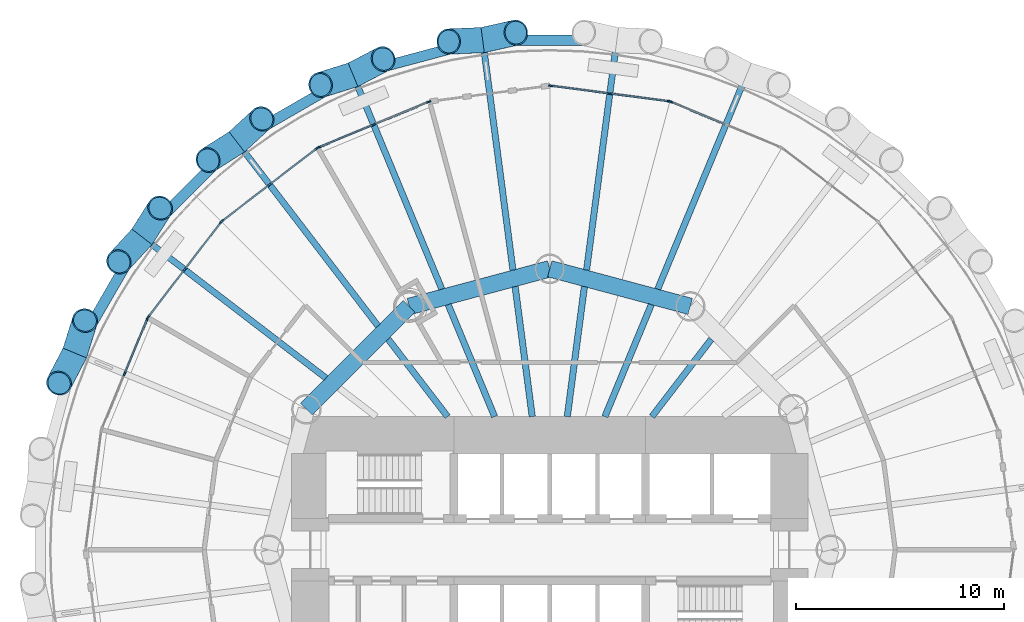
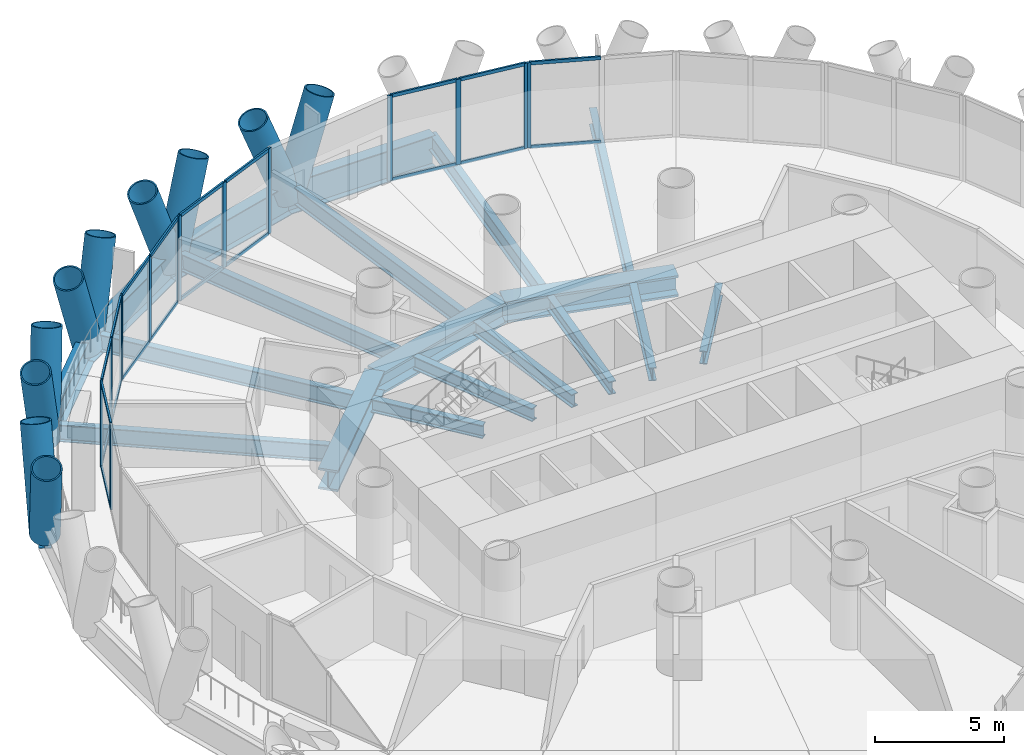
# One storey, part 5 of 15: 45 members, 20 beams, 6 elements without a shape of their own.
"""IFC4 building model written with IfcOpenShell, lengths in metres."""

from ifc_helpers import new_model, si_unit, direction, frame, origin, origin_2d, place, context, subcontext, project, spatial, rectangle, hollow_circle, i_section, extrude, material, material_profile, profile_set, type_object, element, aggregate, save


model = new_model("IFC4")

# Units and contexts
model_context = context("Model", 3, precision=1e-05, world=origin(), true_north=direction((0.0, 1.0)))
body_context = subcontext(model_context, "Body", "Model", "MODEL_VIEW")
ifc_project = project(units=[si_unit("LENGTHUNIT", "METRE"), si_unit("AREAUNIT", "SQUARE_METRE"), si_unit("VOLUMEUNIT", "CUBIC_METRE"), si_unit("PLANEANGLEUNIT", "RADIAN"), si_unit("MASSUNIT", "GRAM", prefix="KILO")], contexts=[model_context])

# Site, building, storey
site_placement = place(None, origin())
site = spatial("IfcSite", under=ifc_project, at=site_placement, CompositionType="ELEMENT")
building_placement = place(site_placement, origin())
building = spatial("IfcBuilding", under=site, at=building_placement, Name="Qaws Media Tower", CompositionType="ELEMENT")
storey_placement = place(building_placement, frame((0.0, 0.0, 51.199951171875)))
storey = spatial("IfcBuildingStorey", under=building, at=storey_placement, Name="L10", CompositionType="ELEMENT", Elevation=51.199951171875)

# Curtain wall, member
ifc_material_1 = material(Name="Aluminium and clear glass", Category="aluminium")
curtain_wall_type = type_object("IfcCurtainWallType", Name="Unitised curtain wall CW-A", PredefinedType="NOTDEFINED", material=ifc_material_1)
curtain_wall_1_placement = place(storey_placement, origin())
curtain_wall_1 = element("IfcCurtainWall", 1, at=curtain_wall_1_placement, inside=storey, type_object=curtain_wall_type, Name="CWA curtain wall L10-05", PredefinedType="NOTDEFINED")
ifc_material_2 = material(Name="Aluminium mullion", Category="aluminium")
ifc_material_profile_1 = material_profile(ifc_material_2, rectangle(XDim=0.080078125, YDim=0.199951171875, at=origin_2d()), Name="80x200")
ifc_profile_set_1 = profile_set([ifc_material_profile_1], Name="Aluminium mullion")
member_type_1 = type_object("IfcMemberType", Name="Curtain wall mullion 80x200", PredefinedType="MULLION", material=ifc_profile_set_1)
member_1_placement = place(storey_placement, frame((65.80859375, 71.52490234375, 0.0), z_axis=(0.0, 0.0, 1.0), x_axis=(-0.382683388377, -0.923879550732, 0.0)))
member_1 = element("IfcMember", 2, at=member_1_placement, type_object=member_type_1, Name="CWA mullion 3", PredefinedType="MULLION", context=body_context, shape_type="SweptSolid", body=[
    extrude(rectangle(XDim=0.080078125, YDim=0.199951171875, at=origin_2d()), origin(), (0.0, 0.0, 1.0), 4.0400390625),
])

# Curtain wall, members
curtain_wall_2_placement = place(storey_placement, origin())
curtain_wall_2 = element("IfcCurtainWall", 3, at=curtain_wall_2_placement, inside=storey, type_object=curtain_wall_type, Name="CWA curtain wall L10-06", PredefinedType="NOTDEFINED")
member_2_placement = place(storey_placement, frame((65.73193359375, 71.54541015625, 0.0), z_axis=(0.0, 0.0, 1.0), x_axis=(-0.13052617322, -0.991444863875, 0.0)))
member_2 = element("IfcMember", 4, at=member_2_placement, type_object=member_type_1, Name="CWA mullion 1", PredefinedType="MULLION", context=body_context, shape_type="SweptSolid", body=[
    extrude(rectangle(XDim=0.080078125, YDim=0.199951171875, at=origin_2d()), origin(), (0.0, 0.0, 1.0), 4.0400390625),
])
member_3_placement = place(storey_placement, frame((62.8857421875, 71.920166015625, 0.0), z_axis=(0.0, 0.0, 1.0), x_axis=(-0.13052617322, -0.991444863875, 0.0)))
member_3 = element("IfcMember", 5, at=member_3_placement, type_object=member_type_1, Name="CWA mullion 2", PredefinedType="MULLION", context=body_context, shape_type="SweptSolid", body=[
    extrude(rectangle(XDim=0.080078125, YDim=0.199951171875, at=origin_2d()), origin(), (0.0, 0.0, 1.0), 4.0400390625),
])
member_4_placement = place(storey_placement, frame((60.03955078125, 72.294677734375, 0.0), z_axis=(0.0, 0.0, 1.0), x_axis=(-0.13052617322, -0.991444863875, 0.0)))
member_4 = element("IfcMember", 6, at=member_4_placement, type_object=member_type_1, Name="CWA mullion 3", PredefinedType="MULLION", context=body_context, shape_type="SweptSolid", body=[
    extrude(rectangle(XDim=0.080078125, YDim=0.199951171875, at=origin_2d()), origin(), (0.0, 0.0, 1.0), 4.0400390625),
])

curtain_wall_3_placement = place(storey_placement, origin())
curtain_wall_3 = element("IfcCurtainWall", 7, at=curtain_wall_3_placement, inside=storey, type_object=curtain_wall_type, Name="CWA curtain wall L10-08", PredefinedType="NOTDEFINED")
member_5_placement = place(storey_placement, frame((54.19140625, 71.52490234375, 0.0), z_axis=(0.0, 0.0, 1.0), x_axis=(0.382683388377, -0.923879550732, 0.0)))
member_5 = element("IfcMember", 8, at=member_5_placement, type_object=member_type_1, Name="CWA mullion 1", PredefinedType="MULLION", context=body_context, shape_type="SweptSolid", body=[
    extrude(rectangle(XDim=0.080078125, YDim=0.199951171875, at=origin_2d()), origin(), (0.0, 0.0, 1.0), 4.0400390625),
])
member_6_placement = place(storey_placement, frame((51.5390625, 70.42626953125, 0.0), z_axis=(0.0, 0.0, 1.0), x_axis=(0.382683388377, -0.923879550732, 0.0)))
member_6 = element("IfcMember", 9, at=member_6_placement, type_object=member_type_1, Name="CWA mullion 2", PredefinedType="MULLION", context=body_context, shape_type="SweptSolid", body=[
    extrude(rectangle(XDim=0.080078125, YDim=0.199951171875, at=origin_2d()), origin(), (0.0, 0.0, 1.0), 4.0400390625),
])
member_7_placement = place(storey_placement, frame((48.886962890625, 69.32763671875, 0.0), z_axis=(0.0, 0.0, 1.0), x_axis=(0.382683388377, -0.923879550732, 0.0)))
member_7 = element("IfcMember", 10, at=member_7_placement, type_object=member_type_1, Name="CWA mullion 3", PredefinedType="MULLION", context=body_context, shape_type="SweptSolid", body=[
    extrude(rectangle(XDim=0.080078125, YDim=0.199951171875, at=origin_2d()), origin(), (0.0, 0.0, 1.0), 4.0400390625),
])

curtain_wall_4_placement = place(storey_placement, origin())
curtain_wall_4 = element("IfcCurtainWall", 11, at=curtain_wall_4_placement, inside=storey, type_object=curtain_wall_type, Name="CWA curtain wall L10-09", PredefinedType="NOTDEFINED")
member_8_placement = place(storey_placement, frame((48.818359375, 69.2880859375, 0.0), z_axis=(0.0, 0.0, 1.0), x_axis=(0.608761524717, -0.793353266852, 0.0)))
member_8 = element("IfcMember", 12, at=member_8_placement, type_object=member_type_1, Name="CWA mullion 1", PredefinedType="MULLION", context=body_context, shape_type="SweptSolid", body=[
    extrude(rectangle(XDim=0.080078125, YDim=0.199951171875, at=origin_2d()), origin(), (0.0, 0.0, 1.0), 4.0400390625),
])
member_9_placement = place(storey_placement, frame((46.540771484375, 67.54052734375, 0.0), z_axis=(0.0, 0.0, 1.0), x_axis=(0.608761524717, -0.793353266852, 0.0)))
member_9 = element("IfcMember", 13, at=member_9_placement, type_object=member_type_1, Name="CWA mullion 2", PredefinedType="MULLION", context=body_context, shape_type="SweptSolid", body=[
    extrude(rectangle(XDim=0.080078125, YDim=0.199951171875, at=origin_2d()), origin(), (0.0, 0.0, 1.0), 4.0400390625),
])
member_10_placement = place(storey_placement, frame((44.26318359375, 65.792724609375, 0.0), z_axis=(0.0, 0.0, 1.0), x_axis=(0.608761524717, -0.793353266852, 0.0)))
member_10 = element("IfcMember", 14, at=member_10_placement, type_object=member_type_1, Name="CWA mullion 3", PredefinedType="MULLION", context=body_context, shape_type="SweptSolid", body=[
    extrude(rectangle(XDim=0.080078125, YDim=0.199951171875, at=origin_2d()), origin(), (0.0, 0.0, 1.0), 4.0400390625),
])

curtain_wall_5_placement = place(storey_placement, origin())
curtain_wall_5 = element("IfcCurtainWall", 15, at=curtain_wall_5_placement, inside=storey, type_object=curtain_wall_type, Name="CWA curtain wall L10-10", PredefinedType="NOTDEFINED")
member_11_placement = place(storey_placement, frame((44.207275390625, 65.73681640625, 0.0), z_axis=(0.0, 0.0, 1.0), x_axis=(0.793353266852, -0.608761524717, 0.0)))
member_11 = element("IfcMember", 16, at=member_11_placement, type_object=member_type_1, Name="CWA mullion 1", PredefinedType="MULLION", context=body_context, shape_type="SweptSolid", body=[
    extrude(rectangle(XDim=0.080078125, YDim=0.199951171875, at=origin_2d()), origin(), (0.0, 0.0, 1.0), 4.0400390625),
])
member_12_placement = place(storey_placement, frame((42.45947265625, 63.459228515625, 0.0), z_axis=(0.0, 0.0, 1.0), x_axis=(0.793353266852, -0.608761524717, 0.0)))
member_12 = element("IfcMember", 17, at=member_12_placement, type_object=member_type_1, Name="CWA mullion 2", PredefinedType="MULLION", context=body_context, shape_type="SweptSolid", body=[
    extrude(rectangle(XDim=0.080078125, YDim=0.199951171875, at=origin_2d()), origin(), (0.0, 0.0, 1.0), 4.0400390625),
])
member_13_placement = place(storey_placement, frame((40.7119140625, 61.181640625, 0.0), z_axis=(0.0, 0.0, 1.0), x_axis=(0.793353266852, -0.608761524717, 0.0)))
member_13 = element("IfcMember", 18, at=member_13_placement, type_object=member_type_1, Name="CWA mullion 3", PredefinedType="MULLION", context=body_context, shape_type="SweptSolid", body=[
    extrude(rectangle(XDim=0.080078125, YDim=0.199951171875, at=origin_2d()), origin(), (0.0, 0.0, 1.0), 4.0400390625),
])

curtain_wall_6_placement = place(storey_placement, origin())
curtain_wall_6 = element("IfcCurtainWall", 19, at=curtain_wall_6_placement, inside=storey, type_object=curtain_wall_type, Name="CWA curtain wall L10-11", PredefinedType="NOTDEFINED")
member_14_placement = place(storey_placement, frame((40.67236328125, 61.113037109375, 0.0), z_axis=(0.0, 0.0, 1.0), x_axis=(0.923879550732, -0.382683388377, 0.0)))
member_14 = element("IfcMember", 20, at=member_14_placement, type_object=member_type_1, Name="CWA mullion 1", PredefinedType="MULLION", context=body_context, shape_type="SweptSolid", body=[
    extrude(rectangle(XDim=0.080078125, YDim=0.199951171875, at=origin_2d()), origin(), (0.0, 0.0, 1.0), 4.0400390625),
])
member_15_placement = place(storey_placement, frame((39.57373046875, 58.4609375, 0.0), z_axis=(0.0, 0.0, 1.0), x_axis=(0.923879550732, -0.382683388377, 0.0)))
member_15 = element("IfcMember", 21, at=member_15_placement, type_object=member_type_1, Name="CWA mullion 2", PredefinedType="MULLION", context=body_context, shape_type="SweptSolid", body=[
    extrude(rectangle(XDim=0.080078125, YDim=0.199951171875, at=origin_2d()), origin(), (0.0, 0.0, 1.0), 4.0400390625),
])

# Member
ifc_material_3 = material(Name="Aluminium transom", Category="aluminium")
ifc_material_profile_2 = material_profile(ifc_material_3, rectangle(XDim=0.080078125, YDim=0.159912109375, at=origin_2d()), Name="80x160")
ifc_profile_set_2 = profile_set([ifc_material_profile_2], Name="Aluminium transom")
member_type_2 = type_object("IfcMemberType", Name="Curtain wall transom 80x160", PredefinedType="USERDEFINED", material=ifc_profile_set_2)
member_16_placement = place(storey_placement, frame((68.423828125, 70.441650390625, 0.0400390625), z_axis=(-0.923895288205, 0.38264539254, 0.0), x_axis=(-0.38264539254, -0.923895288205, 0.0)))
member_16 = element("IfcMember", 22, at=member_16_placement, type_object=member_type_2, Name="CWA transom 2.1", ObjectType="TRANSOM", PredefinedType="USERDEFINED", context=body_context, shape_type="SweptSolid", body=[
    extrude(rectangle(XDim=0.080078125, YDim=0.159912109375, at=origin_2d()), origin(), (0.0, 0.0, 1.0), 2.790771484375),
])

member_17_placement = place(storey_placement, frame((68.423828125, 70.441650390625, 4.0), z_axis=(-0.923895288205, 0.38264539254, 0.0), x_axis=(-0.38264539254, -0.923895288205, 0.0)))
member_17 = element("IfcMember", 23, at=member_17_placement, type_object=member_type_2, Name="CWA transom 2.2", ObjectType="TRANSOM", PredefinedType="USERDEFINED", context=body_context, shape_type="SweptSolid", body=[
    extrude(rectangle(XDim=0.080078125, YDim=0.159912109375, at=origin_2d()), origin(), (0.0, 0.0, 1.0), 2.790771484375),
])

aggregate(curtain_wall_1, [member_1, member_16, member_17])

member_18_placement = place(storey_placement, frame((65.6923828125, 71.550537109375, 0.0400390625), z_axis=(-0.991445062381, 0.130524665408, 0.0), x_axis=(-0.130524665408, -0.991445062381, 0.0)))
member_18 = element("IfcMember", 24, at=member_18_placement, type_object=member_type_2, Name="CWA transom 1.1", ObjectType="TRANSOM", PredefinedType="USERDEFINED", context=body_context, shape_type="SweptSolid", body=[
    extrude(rectangle(XDim=0.080078125, YDim=0.159912109375, at=origin_2d()), origin(), (0.0, 0.0, 1.0), 2.790771484375),
])

member_19_placement = place(storey_placement, frame((65.6923828125, 71.550537109375, 4.0), z_axis=(-0.991445062381, 0.130524665408, 0.0), x_axis=(-0.130524665408, -0.991445062381, 0.0)))
member_19 = element("IfcMember", 25, at=member_19_placement, type_object=member_type_2, Name="CWA transom 1.2", ObjectType="TRANSOM", PredefinedType="USERDEFINED", context=body_context, shape_type="SweptSolid", body=[
    extrude(rectangle(XDim=0.080078125, YDim=0.159912109375, at=origin_2d()), origin(), (0.0, 0.0, 1.0), 2.790771484375),
])

member_20_placement = place(storey_placement, frame((62.84619140625, 71.92529296875, 0.0400390625), z_axis=(-0.991445062381, 0.130524665408, 0.0), x_axis=(-0.130524665408, -0.991445062381, 0.0)))
member_20 = element("IfcMember", 26, at=member_20_placement, type_object=member_type_2, Name="CWA transom 2.1", ObjectType="TRANSOM", PredefinedType="USERDEFINED", context=body_context, shape_type="SweptSolid", body=[
    extrude(rectangle(XDim=0.080078125, YDim=0.159912109375, at=origin_2d()), origin(), (0.0, 0.0, 1.0), 2.790771484375),
])

member_21_placement = place(storey_placement, frame((62.84619140625, 71.92529296875, 4.0), z_axis=(-0.991445062381, 0.130524665408, 0.0), x_axis=(-0.130524665408, -0.991445062381, 0.0)))
member_21 = element("IfcMember", 27, at=member_21_placement, type_object=member_type_2, Name="CWA transom 2.2", ObjectType="TRANSOM", PredefinedType="USERDEFINED", context=body_context, shape_type="SweptSolid", body=[
    extrude(rectangle(XDim=0.080078125, YDim=0.159912109375, at=origin_2d()), origin(), (0.0, 0.0, 1.0), 2.790771484375),
])

aggregate(curtain_wall_2, [member_2, member_3, member_4, member_18, member_19, member_20, member_21])

member_22_placement = place(storey_placement, frame((54.154541015625, 71.509521484375, 0.0400390625), z_axis=(-0.923895288205, -0.38264539254, 0.0), x_axis=(0.38264539254, -0.923895288205, 0.0)))
member_22 = element("IfcMember", 28, at=member_22_placement, type_object=member_type_2, Name="CWA transom 1.1", ObjectType="TRANSOM", PredefinedType="USERDEFINED", context=body_context, shape_type="SweptSolid", body=[
    extrude(rectangle(XDim=0.080078125, YDim=0.159912109375, at=origin_2d()), origin(), (0.0, 0.0, 1.0), 2.790771484375),
])

member_23_placement = place(storey_placement, frame((54.154541015625, 71.509521484375, 4.0), z_axis=(-0.923895288205, -0.38264539254, 0.0), x_axis=(0.38264539254, -0.923895288205, 0.0)))
member_23 = element("IfcMember", 29, at=member_23_placement, type_object=member_type_2, Name="CWA transom 1.2", ObjectType="TRANSOM", PredefinedType="USERDEFINED", context=body_context, shape_type="SweptSolid", body=[
    extrude(rectangle(XDim=0.080078125, YDim=0.159912109375, at=origin_2d()), origin(), (0.0, 0.0, 1.0), 2.790771484375),
])

member_24_placement = place(storey_placement, frame((51.502197265625, 70.410888671875, 0.0400390625), z_axis=(-0.923895288205, -0.38264539254, 0.0), x_axis=(0.38264539254, -0.923895288205, 0.0)))
member_24 = element("IfcMember", 30, at=member_24_placement, type_object=member_type_2, Name="CWA transom 2.1", ObjectType="TRANSOM", PredefinedType="USERDEFINED", context=body_context, shape_type="SweptSolid", body=[
    extrude(rectangle(XDim=0.080078125, YDim=0.159912109375, at=origin_2d()), origin(), (0.0, 0.0, 1.0), 2.790771484375),
])

member_25_placement = place(storey_placement, frame((51.502197265625, 70.410888671875, 4.0), z_axis=(-0.923895288205, -0.38264539254, 0.0), x_axis=(0.38264539254, -0.923895288205, 0.0)))
member_25 = element("IfcMember", 31, at=member_25_placement, type_object=member_type_2, Name="CWA transom 2.2", ObjectType="TRANSOM", PredefinedType="USERDEFINED", context=body_context, shape_type="SweptSolid", body=[
    extrude(rectangle(XDim=0.080078125, YDim=0.159912109375, at=origin_2d()), origin(), (0.0, 0.0, 1.0), 2.790771484375),
])

aggregate(curtain_wall_3, [member_5, member_6, member_7, member_22, member_23, member_24, member_25])

member_26_placement = place(storey_placement, frame((48.78662109375, 69.263671875, 0.0400390625), z_axis=(-0.793348627538, -0.608767570739, 0.0), x_axis=(0.608767570739, -0.793348627538, 0.0)))
member_26 = element("IfcMember", 32, at=member_26_placement, type_object=member_type_2, Name="CWA transom 1.1", ObjectType="TRANSOM", PredefinedType="USERDEFINED", context=body_context, shape_type="SweptSolid", body=[
    extrude(rectangle(XDim=0.080078125, YDim=0.159912109375, at=origin_2d()), origin(), (0.0, 0.0, 1.0), 2.790771484375),
])

member_27_placement = place(storey_placement, frame((48.78662109375, 69.263671875, 4.0), z_axis=(-0.793348627538, -0.608767570739, 0.0), x_axis=(0.608767570739, -0.793348627538, 0.0)))
member_27 = element("IfcMember", 33, at=member_27_placement, type_object=member_type_2, Name="CWA transom 1.2", ObjectType="TRANSOM", PredefinedType="USERDEFINED", context=body_context, shape_type="SweptSolid", body=[
    extrude(rectangle(XDim=0.080078125, YDim=0.159912109375, at=origin_2d()), origin(), (0.0, 0.0, 1.0), 2.790771484375),
])

member_28_placement = place(storey_placement, frame((46.509033203125, 67.51611328125, 0.0400390625), z_axis=(-0.793348627538, -0.608767570739, 0.0), x_axis=(0.608767570739, -0.793348627538, 0.0)))
member_28 = element("IfcMember", 34, at=member_28_placement, type_object=member_type_2, Name="CWA transom 2.1", ObjectType="TRANSOM", PredefinedType="USERDEFINED", context=body_context, shape_type="SweptSolid", body=[
    extrude(rectangle(XDim=0.080078125, YDim=0.159912109375, at=origin_2d()), origin(), (0.0, 0.0, 1.0), 2.790771484375),
])

member_29_placement = place(storey_placement, frame((46.509033203125, 67.51611328125, 4.0), z_axis=(-0.793348627538, -0.608767570739, 0.0), x_axis=(0.608767570739, -0.793348627538, 0.0)))
member_29 = element("IfcMember", 35, at=member_29_placement, type_object=member_type_2, Name="CWA transom 2.2", ObjectType="TRANSOM", PredefinedType="USERDEFINED", context=body_context, shape_type="SweptSolid", body=[
    extrude(rectangle(XDim=0.080078125, YDim=0.159912109375, at=origin_2d()), origin(), (0.0, 0.0, 1.0), 2.790771484375),
])

aggregate(curtain_wall_4, [member_8, member_9, member_10, member_26, member_27, member_28, member_29])

member_30_placement = place(storey_placement, frame((44.182861328125, 65.705078125, 0.0400390625), z_axis=(-0.608767570739, -0.793348627538, 0.0), x_axis=(0.793348627538, -0.608767570739, 0.0)))
member_30 = element("IfcMember", 36, at=member_30_placement, type_object=member_type_2, Name="CWA transom 1.1", ObjectType="TRANSOM", PredefinedType="USERDEFINED", context=body_context, shape_type="SweptSolid", body=[
    extrude(rectangle(XDim=0.080078125, YDim=0.159912109375, at=origin_2d()), origin(), (0.0, 0.0, 1.0), 2.790771484375),
])

member_31_placement = place(storey_placement, frame((44.182861328125, 65.705078125, 4.0), z_axis=(-0.608767570739, -0.793348627538, 0.0), x_axis=(0.793348627538, -0.608767570739, 0.0)))
member_31 = element("IfcMember", 37, at=member_31_placement, type_object=member_type_2, Name="CWA transom 1.2", ObjectType="TRANSOM", PredefinedType="USERDEFINED", context=body_context, shape_type="SweptSolid", body=[
    extrude(rectangle(XDim=0.080078125, YDim=0.159912109375, at=origin_2d()), origin(), (0.0, 0.0, 1.0), 2.790771484375),
])

member_32_placement = place(storey_placement, frame((42.435302734375, 63.427490234375, 0.0400390625), z_axis=(-0.608767570739, -0.793348627538, 0.0), x_axis=(0.793348627538, -0.608767570739, 0.0)))
member_32 = element("IfcMember", 38, at=member_32_placement, type_object=member_type_2, Name="CWA transom 2.1", ObjectType="TRANSOM", PredefinedType="USERDEFINED", context=body_context, shape_type="SweptSolid", body=[
    extrude(rectangle(XDim=0.080078125, YDim=0.159912109375, at=origin_2d()), origin(), (0.0, 0.0, 1.0), 2.790771484375),
])

member_33_placement = place(storey_placement, frame((42.435302734375, 63.427490234375, 4.0), z_axis=(-0.608767570739, -0.793348627538, 0.0), x_axis=(0.793348627538, -0.608767570739, 0.0)))
member_33 = element("IfcMember", 39, at=member_33_placement, type_object=member_type_2, Name="CWA transom 2.2", ObjectType="TRANSOM", PredefinedType="USERDEFINED", context=body_context, shape_type="SweptSolid", body=[
    extrude(rectangle(XDim=0.080078125, YDim=0.159912109375, at=origin_2d()), origin(), (0.0, 0.0, 1.0), 2.790771484375),
])

aggregate(curtain_wall_5, [member_11, member_12, member_13, member_30, member_31, member_32, member_33])

member_34_placement = place(storey_placement, frame((40.656982421875, 61.076171875, 0.0400390625), z_axis=(-0.38264539254, -0.923895288205, 0.0), x_axis=(0.923895288205, -0.38264539254, 0.0)))
member_34 = element("IfcMember", 40, at=member_34_placement, type_object=member_type_2, Name="CWA transom 1.1", ObjectType="TRANSOM", PredefinedType="USERDEFINED", context=body_context, shape_type="SweptSolid", body=[
    extrude(rectangle(XDim=0.080078125, YDim=0.159912109375, at=origin_2d()), origin(), (0.0, 0.0, 1.0), 2.790771484375),
])

member_35_placement = place(storey_placement, frame((40.656982421875, 61.076171875, 4.0), z_axis=(-0.38264539254, -0.923895288205, 0.0), x_axis=(0.923895288205, -0.38264539254, 0.0)))
member_35 = element("IfcMember", 41, at=member_35_placement, type_object=member_type_2, Name="CWA transom 1.2", ObjectType="TRANSOM", PredefinedType="USERDEFINED", context=body_context, shape_type="SweptSolid", body=[
    extrude(rectangle(XDim=0.080078125, YDim=0.159912109375, at=origin_2d()), origin(), (0.0, 0.0, 1.0), 2.790771484375),
])

aggregate(curtain_wall_6, [member_14, member_15, member_34, member_35])

# Members
ifc_material_4 = material(Name="Steel S460", Category="steel")
ifc_material_profile_3 = material_profile(ifc_material_4, hollow_circle(Radius=0.609619140625, WallThickness=0.06005859375, at=origin_2d()), Name="CHS 1219x60")
ifc_profile_set_3 = profile_set([ifc_material_profile_3], Name="Steel S460")
member_type_3 = type_object("IfcMemberType", Name="Diagrid member CHS 1219x60", PredefinedType="USERDEFINED", material=ifc_profile_set_3)
for number, where, z_axis, x_axis, name in (
    (42, (56.776123046875, 74.48876953125, -0.909912109375), (-0.362497534698, -0.014896416922, 0.931865673851), (0.041059189611, -0.99915671591, 0.0), "DG1 diagrid L10 A07"),
    (43, (56.776123046875, 74.48876953125, -0.909912109375), (0.353994649017, 0.079411806497, 0.931869923035), (-0.218890390153, 0.97574945406, 0.0), "DG1 diagrid L10 B07"),
    (44, (50.547607421875, 72.81982421875, -0.909912109375), (-0.346251379112, -0.108230640717, 0.931877733865), (0.298343010406, -0.954458719978, 0.0), "DG1 diagrid L10 A08"),
    (45, (50.547607421875, 72.81982421875, -0.909912109375), (0.321382639402, 0.168356184605, 0.931863398893), (-0.464034889199, 0.885816923301, 0.0), "DG1 diagrid L10 B08"),
    (46, (44.963623046875, 69.595947265625, -0.909912109375), (-0.306483994421, -0.19419319901, 0.931856513967), (0.535222557834, -0.844711082907, 0.0), "DG1 diagrid L10 A09"),
    (47, (44.963623046875, 69.595947265625, -0.909912109375), (0.266838837699, 0.24576691162, 0.931877491867), (-0.677467250877, 0.735552937584, 0.0), "DG1 diagrid L10 B09"),
    (48, (40.404052734375, 65.036376953125, -0.909912109375), (-0.24576691162, -0.266838837699, 0.931877491867), (0.735552937584, -0.677467250877, 0.0), "DG1 diagrid L10 A10"),
    (49, (40.404052734375, 65.036376953125, -0.909912109375), (0.19419319901, 0.306483994421, 0.931856513967), (-0.844711082907, 0.535222557834, 0.0), "DG1 diagrid L10 B10"),
    (50, (37.18017578125, 59.452392578125, -0.909912109375), (-0.168356184605, -0.321382639402, 0.931863398893), (0.885816923301, -0.464034889199, 0.0), "DG1 diagrid L10 A11"),
    (51, (37.18017578125, 59.452392578125, -0.909912109375), (0.108230640717, 0.346251379112, 0.931877733865), (-0.954458719978, 0.298343010406, 0.0), "DG1 diagrid L10 B11"),
):
    element("IfcMember", number, at=place(storey_placement, frame(where, z_axis=z_axis, x_axis=x_axis)), inside=storey, type_object=member_type_3, Name=name, ObjectType="DIAGRID", PredefinedType="USERDEFINED", context=body_context, shape_type="SweptSolid", body=[
        extrude(hollow_circle(Radius=0.609619140625, WallThickness=0.06005859375, at=origin_2d()), origin(), (0.0, 0.0, 1.0), 4.507080078125),
    ])

# Beams
ifc_material_5 = material(Name="Steel S460", Category="steel")
ifc_material_profile_4 = material_profile(ifc_material_5, i_section(OverallWidth=0.5, OverallDepth=1.5, WebThickness=0.02001953125, FlangeThickness=0.0400390625, at=origin_2d()), Name="PG 1500x500")
ifc_profile_set_4 = profile_set([ifc_material_profile_4], Name="Steel S460")
beam_type_1 = type_object("IfcBeamType", Name="Edge ring beam PG 1500x500", PredefinedType="BEAM", material=ifc_profile_set_4)
beam_1_placement = place(storey_placement, frame((63.223876953125, 74.48876953125, -0.909912109375), z_axis=(-1.0, 0.0, 0.0), x_axis=(0.0, -1.0, 0.0)))
element("IfcBeam", 52, at=beam_1_placement, inside=storey, type_object=beam_type_1, Name="RB4 edge ring beam L10-06", PredefinedType="BEAM", context=body_context, shape_type="SweptSolid", body=[
    extrude(i_section(OverallWidth=0.5, OverallDepth=1.5, WebThickness=0.02001953125, FlangeThickness=0.0400390625, at=origin_2d()), origin(), (0.0, 0.0, 1.0), 6.44775390625),
])
beam_2_placement = place(storey_placement, frame((56.776123046875, 74.48876953125, -0.909912109375), z_axis=(-0.965925067134, -0.25882187829, 0.0), x_axis=(0.25882187829, -0.965925067134, 0.0)))
element("IfcBeam", 53, at=beam_2_placement, inside=storey, type_object=beam_type_1, Name="RB4 edge ring beam L10-07", PredefinedType="BEAM", context=body_context, shape_type="SweptSolid", body=[
    extrude(i_section(OverallWidth=0.5, OverallDepth=1.5, WebThickness=0.02001953125, FlangeThickness=0.0400390625, at=origin_2d()), origin(), (0.0, 0.0, 1.0), 6.4482421875),
])
beam_3_placement = place(storey_placement, frame((50.547607421875, 72.81982421875, -0.909912109375), z_axis=(-0.866027950949, -0.499995588155, 0.0), x_axis=(0.499995588155, -0.866027950949, 0.0)))
element("IfcBeam", 54, at=beam_3_placement, inside=storey, type_object=beam_type_1, Name="RB4 edge ring beam L10-08", PredefinedType="BEAM", context=body_context, shape_type="SweptSolid", body=[
    extrude(i_section(OverallWidth=0.5, OverallDepth=1.5, WebThickness=0.02001953125, FlangeThickness=0.0400390625, at=origin_2d()), origin(), (0.0, 0.0, 1.0), 6.44775390625),
])
beam_4_placement = place(storey_placement, frame((44.963623046875, 69.595947265625, -0.909912109375), z_axis=(-0.707106781187, -0.707106781187, 0.0), x_axis=(0.707106781187, -0.707106781187, 0.0)))
element("IfcBeam", 55, at=beam_4_placement, inside=storey, type_object=beam_type_1, Name="RB4 edge ring beam L10-09", PredefinedType="BEAM", context=body_context, shape_type="SweptSolid", body=[
    extrude(i_section(OverallWidth=0.5, OverallDepth=1.5, WebThickness=0.02001953125, FlangeThickness=0.0400390625, at=origin_2d()), origin(), (0.0, 0.0, 1.0), 6.4482421875),
])
beam_5_placement = place(storey_placement, frame((40.404052734375, 65.036376953125, -0.909912109375), z_axis=(-0.499995588155, -0.866027950949, 0.0), x_axis=(0.866027950949, -0.499995588155, 0.0)))
element("IfcBeam", 56, at=beam_5_placement, inside=storey, type_object=beam_type_1, Name="RB4 edge ring beam L10-10", PredefinedType="BEAM", context=body_context, shape_type="SweptSolid", body=[
    extrude(i_section(OverallWidth=0.5, OverallDepth=1.5, WebThickness=0.02001953125, FlangeThickness=0.0400390625, at=origin_2d()), origin(), (0.0, 0.0, 1.0), 6.44775390625),
])
ifc_material_6 = material(Name="Steel S460", Category="steel")
ifc_material_profile_5 = material_profile(ifc_material_6, i_section(OverallWidth=0.800048828125, OverallDepth=1.0, WebThickness=0.0400390625, FlangeThickness=0.10009765625, at=origin_2d()), Name="PG 1000x800")
ifc_profile_set_5 = profile_set([ifc_material_profile_5], Name="Steel S460")
beam_type_2 = type_object("IfcBeamType", Name="Inner ring girder PG 1000x800", PredefinedType="BEAM", material=ifc_profile_set_5)
for number, where, z_axis, x_axis, name in (
    (57, (66.75, 61.69140625, -0.659912109375), (-0.965928090778, 0.258810593767, 0.0), (-0.258810593767, -0.965928090778, 0.0), "B3 inner ring beam L10 I03-I04"),
    (58, (60.0, 63.5, -0.659912109375), (-0.965928090778, -0.258810593767, 0.0), (0.258810593767, -0.965928090778, 0.0), "B3 inner ring beam L10 I04-I05"),
):
    element("IfcBeam", number, at=place(storey_placement, frame(where, z_axis=z_axis, x_axis=x_axis)), inside=storey, type_object=beam_type_2, Name=name, PredefinedType="BEAM", context=body_context, shape_type="SweptSolid", body=[
        extrude(i_section(OverallWidth=0.800048828125, OverallDepth=1.0, WebThickness=0.0400390625, FlangeThickness=0.10009765625, at=origin_2d()), origin(), (0.0, 0.0, 1.0), 6.988037109375),
    ])
beam_6_placement = place(storey_placement, frame((53.25, 61.69140625, -0.659912109375), z_axis=(-0.707106781187, -0.707106781187, 0.0), x_axis=(0.707106781187, -0.707106781187, 0.0)))
element("IfcBeam", 59, at=beam_6_placement, inside=storey, type_object=beam_type_2, Name="B3 inner ring beam L10 I05-I06", PredefinedType="BEAM", context=body_context, shape_type="SweptSolid", body=[
    extrude(i_section(OverallWidth=0.800048828125, OverallDepth=1.0, WebThickness=0.0400390625, FlangeThickness=0.10009765625, at=origin_2d()), origin(), (0.0, 0.0, 1.0), 6.98828125),
])
ifc_material_7 = material(Name="Steel S355", Category="steel")
ifc_material_profile_6 = material_profile(ifc_material_7, i_section(OverallWidth=0.304931640625, OverallDepth=0.6201171875, WebThickness=0.02099609375, FlangeThickness=0.0400390625, FilletRadius=0.027099609375, at=origin_2d()), Name="HE 600 M")
ifc_profile_set_6 = profile_set([ifc_material_profile_6], Name="Steel S355")
beam_type_3 = type_object("IfcBeamType", Name="Radial beam HE 600 M, core side", PredefinedType="BEAM", material=ifc_profile_set_6)
beam_7_placement = place(storey_placement, frame((64.910888671875, 56.39990234375, -0.469970703125), z_axis=(0.608765363283, 0.793350321401, 0.0), x_axis=(-0.793350321401, 0.608765363283, 0.0)))
element("IfcBeam", 60, at=beam_7_placement, inside=storey, type_object=beam_type_3, Name="B2 radial beam L10 04", PredefinedType="BEAM", context=body_context, shape_type="SweptSolid", body=[
    extrude(i_section(OverallWidth=0.304931640625, OverallDepth=0.6201171875, WebThickness=0.02099609375, FlangeThickness=0.0400390625, FilletRadius=0.027099609375, at=origin_2d()), origin(), (0.0, 0.0, 1.0), 4.68212890625),
])
beam_8_placement = place(storey_placement, frame((62.65087890625, 56.39990234375, -0.469970703125), z_axis=(0.38269993354, 0.923872697328, 0.0), x_axis=(-0.923872697328, 0.38269993354, 0.0)))
element("IfcBeam", 61, at=beam_8_placement, inside=storey, type_object=beam_type_3, Name="B2 radial beam L10 05", PredefinedType="BEAM", context=body_context, shape_type="SweptSolid", body=[
    extrude(i_section(OverallWidth=0.304931640625, OverallDepth=0.6201171875, WebThickness=0.02099609375, FlangeThickness=0.0400390625, FilletRadius=0.027099609375, at=origin_2d()), origin(), (0.0, 0.0, 1.0), 5.82177734375),
])
for number, where, z_axis, x_axis, name in (
    (62, (60.842529296875, 56.39990234375, -0.469970703125), (0.130529769311, 0.991444390434, 0.0), (-0.991444390434, 0.130529769311, 0.0), "B2 radial beam L10 06"),
    (63, (59.157470703125, 56.39990234375, -0.469970703125), (-0.130529769311, 0.991444390434, 0.0), (-0.991444390434, -0.130529769311, 0.0), "B2 radial beam L10 07"),
):
    element("IfcBeam", number, at=place(storey_placement, frame(where, z_axis=z_axis, x_axis=x_axis)), inside=storey, type_object=beam_type_3, Name=name, PredefinedType="BEAM", context=body_context, shape_type="SweptSolid", body=[
        extrude(i_section(OverallWidth=0.304931640625, OverallDepth=0.6201171875, WebThickness=0.02099609375, FlangeThickness=0.0400390625, FilletRadius=0.027099609375, at=origin_2d()), origin(), (0.0, 0.0, 1.0), 6.2939453125),
    ])
beam_9_placement = place(storey_placement, frame((57.34912109375, 56.39990234375, -0.469970703125), z_axis=(-0.38269993354, 0.923872697328, 0.0), x_axis=(-0.923872697328, -0.38269993354, 0.0)))
element("IfcBeam", 64, at=beam_9_placement, inside=storey, type_object=beam_type_3, Name="B2 radial beam L10 08", PredefinedType="BEAM", context=body_context, shape_type="SweptSolid", body=[
    extrude(i_section(OverallWidth=0.304931640625, OverallDepth=0.6201171875, WebThickness=0.02099609375, FlangeThickness=0.0400390625, FilletRadius=0.027099609375, at=origin_2d()), origin(), (0.0, 0.0, 1.0), 5.82177734375),
])
beam_10_placement = place(storey_placement, frame((55.089111328125, 56.39990234375, -0.469970703125), z_axis=(-0.608765363283, 0.793350321401, 0.0), x_axis=(-0.793350321401, -0.608765363283, 0.0)))
element("IfcBeam", 65, at=beam_10_placement, inside=storey, type_object=beam_type_3, Name="B2 radial beam L10 09", PredefinedType="BEAM", context=body_context, shape_type="SweptSolid", body=[
    extrude(i_section(OverallWidth=0.304931640625, OverallDepth=0.6201171875, WebThickness=0.02099609375, FlangeThickness=0.0400390625, FilletRadius=0.027099609375, at=origin_2d()), origin(), (0.0, 0.0, 1.0), 4.68212890625),
])
ifc_material_8 = material(Name="Steel S355", Category="steel")
ifc_material_profile_7 = material_profile(ifc_material_8, i_section(OverallWidth=0.300048828125, OverallDepth=0.800048828125, WebThickness=0.017578125, FlangeThickness=0.032958984375, FilletRadius=0.030029296875, at=origin_2d()), Name="HE 800 B")
ifc_profile_set_7 = profile_set([ifc_material_profile_7], Name="Steel S355")
beam_type_4 = type_object("IfcBeamType", Name="Radial beam HE 800 B", PredefinedType="BEAM", material=ifc_profile_set_7)
beam_11_placement = place(storey_placement, frame((65.187744140625, 62.524169921875, -0.56005859375), z_axis=(0.382687169678, 0.923877984457, 0.0), x_axis=(-0.923877984457, 0.382687169678, 0.0)))
element("IfcBeam", 66, at=beam_11_placement, inside=storey, type_object=beam_type_4, Name="B1 radial beam L10 05", PredefinedType="BEAM", context=body_context, shape_type="SweptSolid", body=[
    extrude(i_section(OverallWidth=0.300048828125, OverallDepth=0.800048828125, WebThickness=0.017578125, FlangeThickness=0.032958984375, FilletRadius=0.030029296875, at=origin_2d()), origin(), (0.0, 0.0, 1.0), 11.14404296875),
])
for number, where, z_axis, x_axis, name in (
    (67, (61.769287109375, 63.43994140625, -0.56005859375), (0.130524783217, 0.991445046872, 0.0), (-0.991445046872, 0.130524783217, 0.0), "B1 radial beam L10 06"),
    (68, (58.230712890625, 63.43994140625, -0.56005859375), (-0.130524783217, 0.991445046872, 0.0), (-0.991445046872, -0.130524783217, 0.0), "B1 radial beam L10 07"),
):
    element("IfcBeam", number, at=place(storey_placement, frame(where, z_axis=z_axis, x_axis=x_axis)), inside=storey, type_object=beam_type_4, Name=name, PredefinedType="BEAM", context=body_context, shape_type="SweptSolid", body=[
        extrude(i_section(OverallWidth=0.300048828125, OverallDepth=0.800048828125, WebThickness=0.017578125, FlangeThickness=0.032958984375, FilletRadius=0.030029296875, at=origin_2d()), origin(), (0.0, 0.0, 1.0), 11.144287109375),
    ])
for number, where, z_axis, x_axis, name in (
    (69, (54.812255859375, 62.524169921875, -0.56005859375), (-0.382687169678, 0.923877984457, 0.0), (-0.923877984457, -0.382687169678, 0.0), "B1 radial beam L10 08"),
    (70, (51.74755859375, 60.754638671875, -0.56005859375), (-0.60874792212, 0.793363704309, 0.0), (-0.793363704309, -0.60874792212, 0.0), "B1 radial beam L10 09"),
    (71, (49.245361328125, 58.25244140625, -0.56005859375), (-0.793363704309, 0.60874792212, 0.0), (-0.60874792212, -0.793363704309, 0.0), "B1 radial beam L10 10"),
):
    element("IfcBeam", number, at=place(storey_placement, frame(where, z_axis=z_axis, x_axis=x_axis)), inside=storey, type_object=beam_type_4, Name=name, PredefinedType="BEAM", context=body_context, shape_type="SweptSolid", body=[
        extrude(i_section(OverallWidth=0.300048828125, OverallDepth=0.800048828125, WebThickness=0.017578125, FlangeThickness=0.032958984375, FilletRadius=0.030029296875, at=origin_2d()), origin(), (0.0, 0.0, 1.0), 11.14404296875),
    ])

save(model, "model.ifc")
